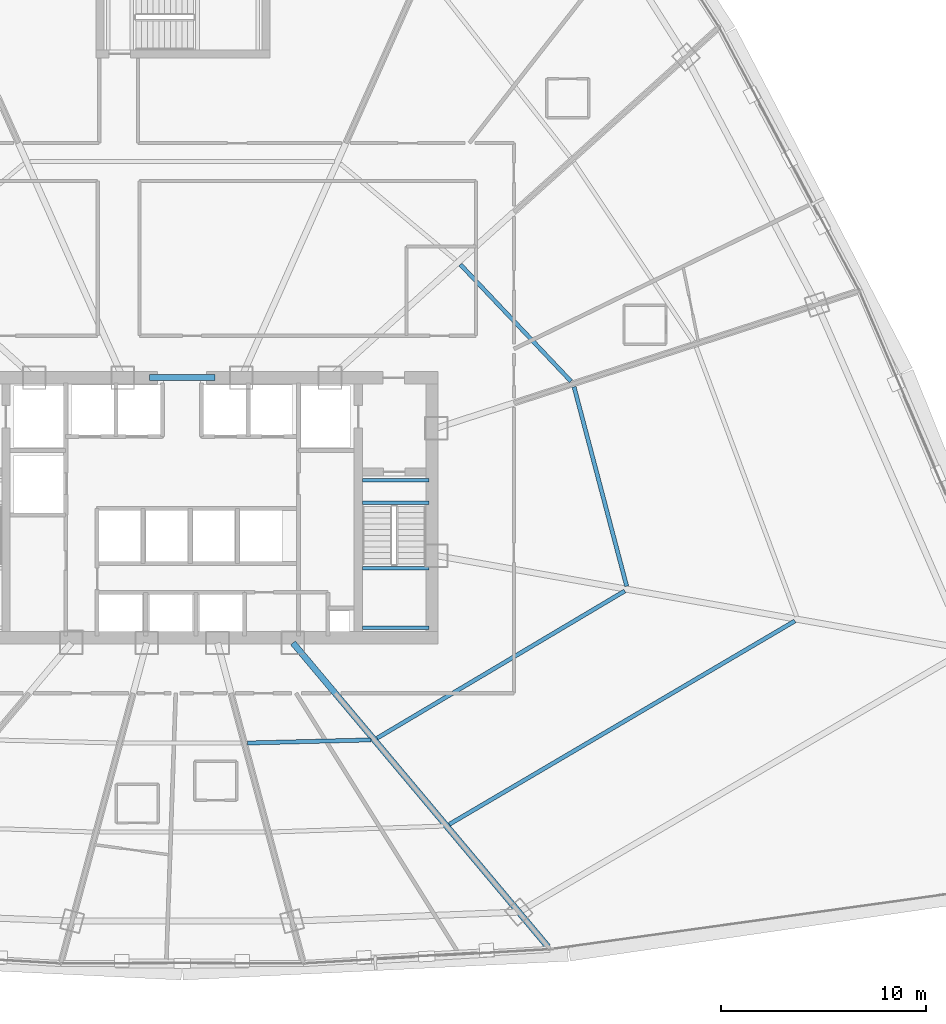
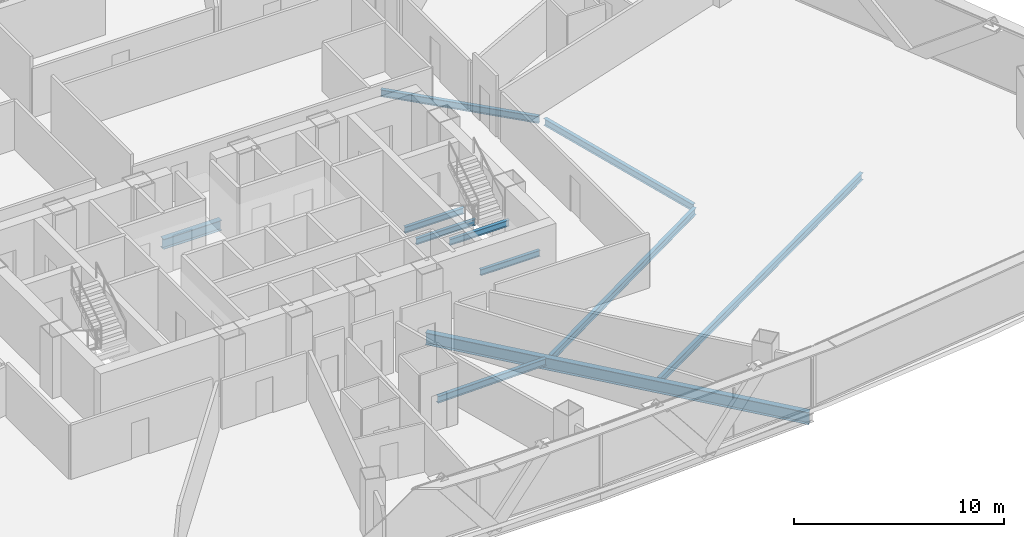
# One storey, part 13 of 37: 11 beams.
"""IFC4 building model written with IfcOpenShell, lengths in metres."""

from ifc_helpers import new_model, si_unit, direction, frame, origin, origin_2d, place, context, subcontext, project, spatial, i_section, extrude, source, transform, mapped, material, material_profile, profile_set, type_object, element, save


model = new_model("IFC4")

# Units and contexts
model_context = context("Model", 3, precision=1e-05, world=origin(), true_north=direction((0.0, 1.0)))
body_context = subcontext(model_context, "Body", "Model", "MODEL_VIEW")
ifc_project = project(units=[si_unit("LENGTHUNIT", "METRE"), si_unit("AREAUNIT", "SQUARE_METRE"), si_unit("VOLUMEUNIT", "CUBIC_METRE"), si_unit("PLANEANGLEUNIT", "RADIAN"), si_unit("MASSUNIT", "GRAM", prefix="KILO"), si_unit("THERMODYNAMICTEMPERATUREUNIT", "KELVIN"), si_unit("POWERUNIT", "WATT")], contexts=[model_context])

# Site, building, storey
site_placement = place(None, origin())
site = spatial("IfcSite", under=ifc_project, at=site_placement, CompositionType="ELEMENT")
building_placement = place(site_placement, origin())
building = spatial("IfcBuilding", under=site, at=building_placement, Name="Yunzhuo Pagoda Commons", CompositionType="ELEMENT")
storey_placement = place(building_placement, frame((0.0, 0.0, 88.780029296875)))
storey = spatial("IfcBuildingStorey", under=building, at=storey_placement, Name="L22", CompositionType="ELEMENT", Elevation=88.780029296875)

# Beams
ifc_material_1 = material(Name="Structural steel Q355B", Category="steel")
ifc_material_profile_1 = material_profile(ifc_material_1, i_section(OverallWidth=0.175048828125, OverallDepth=0.35009765625, WebThickness=0.007080078125, FlangeThickness=0.010986328125, at=origin_2d()), Name="Structural steel Q355B")
ifc_profile_set_1 = profile_set([ifc_material_profile_1], Name="Structural steel Q355B")
beam_type_1 = type_object("IfcBeamType", Name="B-JS2 Joist HN 350x175x7x11", PredefinedType="JOIST", material=ifc_profile_set_1)
shared_shape_1 = source(origin(), body_context, "Body", "SweptSolid", [
    extrude(i_section(OverallWidth=0.175048828125, OverallDepth=0.35009765625, WebThickness=0.007080078125, FlangeThickness=0.010986328125, at=origin_2d()), origin(), (0.0, 0.0, 1.0), 3.25),
])
for number, where, z_axis, x_axis, name in (
    (1, (56.800048828125, 28.0, 1.52490234375), (1.0, 0.0, 0.0), (0.0, 1.0, 0.0), "L22 ST2 landing support beam 28A"),
    (2, (56.800048828125, 30.89990234375, 1.52490234375), (1.0, 0.0, 0.0), (0.0, 1.0, 0.0), "L22 ST2 landing support beam 28B"),
    (3, (56.800048828125, 34.10009765625, -0.375), (1.0, 0.0, 0.0), (0.0, 1.0, 0.0), "L22 ST2 landing support beam 126A"),
    (4, (56.800048828125, 35.199951171875, -0.375), (1.0, 0.0, 0.0), (0.0, 1.0, 0.0), "L22 ST2 landing support beam 126B"),
):
    element("IfcBeam", number, at=place(storey_placement, frame(where, z_axis=z_axis, x_axis=x_axis)), inside=storey, type_object=beam_type_1, Name=name, PredefinedType="JOIST", context=body_context, shape_type="MappedRepresentation", body=[
        mapped(shared_shape_1, transform((0.0, 0.0, 0.0), scale=1.0)),
    ])
ifc_material_2 = material(Name="Structural steel Q420B", Category="steel")
ifc_material_profile_2 = material_profile(ifc_material_2, i_section(OverallWidth=0.300048828125, OverallDepth=0.587890625, WebThickness=0.011962890625, FlangeThickness=0.02001953125, at=origin_2d()), Name="Structural steel Q420B")
ifc_profile_set_2 = profile_set([ifc_material_profile_2], Name="Structural steel Q420B")
beam_type_2 = type_object("IfcBeamType", Name="B-CPL Beam HM 588x300x12x20", PredefinedType="BEAM", material=ifc_profile_set_2)
shared_shape_2 = source(origin(), body_context, "Body", "SweptSolid", [
    extrude(i_section(OverallWidth=0.300048828125, OverallDepth=0.587890625, WebThickness=0.011962890625, FlangeThickness=0.02001953125, at=origin_2d()), origin(), (0.0, 0.0, 1.0), 3.2001953125),
])
beam_1_placement = place(storey_placement, frame((46.39990234375, 40.199951171875, -0.553955078125), z_axis=(1.0, 0.0, 0.0), x_axis=(0.0, 1.0, 0.0)))
element("IfcBeam", 5, at=beam_1_placement, inside=storey, type_object=beam_type_2, Name="L22 core coupling girder", PredefinedType="BEAM", context=body_context, shape_type="MappedRepresentation", body=[
    mapped(shared_shape_2, transform((0.0, 0.0, 0.0), scale=1.0)),
])
ifc_material_profile_3 = material_profile(ifc_material_1, i_section(OverallWidth=0.300048828125, OverallDepth=0.699951171875, WebThickness=0.012939453125, FlangeThickness=0.02392578125, at=origin_2d()), Name="Structural steel Q355B")
ifc_profile_set_3 = profile_set([ifc_material_profile_3], Name="Structural steel Q355B")
beam_type_3 = type_object("IfcBeamType", Name="B-RG1 Beam HN 700x300x13x24", PredefinedType="BEAM", material=ifc_profile_set_3)
shared_shape_3 = source(origin(), body_context, "Body", "SweptSolid", [
    extrude(i_section(OverallWidth=0.300048828125, OverallDepth=0.699951171875, WebThickness=0.012939453125, FlangeThickness=0.02392578125, at=origin_2d()), origin(), (0.0, 0.0, 1.0), 19.369140625),
])
beam_2_placement = place(storey_placement, frame((65.862548828125, 12.41259765625, -0.610107421875), z_axis=(-0.642799141194, 0.766034766887, 0.0), x_axis=(-0.766034766887, -0.642799141194, 0.0)))
element("IfcBeam", 6, at=beam_2_placement, inside=storey, type_object=beam_type_3, Name="L22 radial floor girder F1C4", PredefinedType="BEAM", context=body_context, shape_type="MappedRepresentation", body=[
    mapped(shared_shape_3, transform((0.0, 0.0, 0.0), scale=1.0)),
])
ifc_material_profile_4 = material_profile(ifc_material_1, i_section(OverallWidth=0.199951171875, OverallDepth=0.39990234375, WebThickness=0.008056640625, FlangeThickness=0.012939453125, at=origin_2d()), Name="Structural steel Q355B")
ifc_profile_set_4 = profile_set([ifc_material_profile_4], Name="Structural steel Q355B")
beam_type_4 = type_object("IfcBeamType", Name="B-JS1 Joist HN 400x200x8x13", PredefinedType="JOIST", material=ifc_profile_set_4)
shared_shape_4 = source(origin(), body_context, "Body", "SweptSolid", [
    extrude(i_section(OverallWidth=0.199951171875, OverallDepth=0.39990234375, WebThickness=0.008056640625, FlangeThickness=0.012939453125, at=origin_2d()), origin(), (0.0, 0.0, 1.0), 6.026611328125),
])
beam_3_placement = place(storey_placement, frame((51.197265625, 22.364501953125, -0.4599609375), z_axis=(0.99968248871, 0.025197654009, 0.0), x_axis=(-0.025197654009, 0.99968248871, 0.0)))
element("IfcBeam", 7, at=beam_3_placement, inside=storey, type_object=beam_type_4, Name="L22 composite ring joist 1.3", PredefinedType="JOIST", context=body_context, shape_type="MappedRepresentation", body=[
    mapped(shared_shape_4, transform((0.0, 0.0, 0.0), scale=1.0)),
])
shared_shape_5 = source(origin(), body_context, "Body", "SweptSolid", [
    extrude(i_section(OverallWidth=0.199951171875, OverallDepth=0.39990234375, WebThickness=0.008056640625, FlangeThickness=0.012939453125, at=origin_2d()), origin(), (0.0, 0.0, 1.0), 14.061767578125),
])
beam_4_placement = place(storey_placement, frame((57.517578125, 22.601806640625, -0.4599609375), z_axis=(0.859683443923, 0.510827149088, 0.0), x_axis=(-0.510827149088, 0.859683443923, 0.0)))
element("IfcBeam", 8, at=beam_4_placement, inside=storey, type_object=beam_type_4, Name="L22 composite ring joist 1.4", PredefinedType="JOIST", context=body_context, shape_type="MappedRepresentation", body=[
    mapped(shared_shape_5, transform((0.0, 0.0, 0.0), scale=1.0)),
])
shared_shape_6 = source(origin(), body_context, "Body", "SweptSolid", [
    extrude(i_section(OverallWidth=0.199951171875, OverallDepth=0.39990234375, WebThickness=0.008056640625, FlangeThickness=0.012939453125, at=origin_2d()), origin(), (0.0, 0.0, 1.0), 19.568603515625),
])
beam_5_placement = place(storey_placement, frame((61.04541015625, 18.39697265625, -0.4599609375), z_axis=(0.861862685393, 0.50714170754, 0.0), x_axis=(-0.50714170754, 0.861862685393, 0.0)))
element("IfcBeam", 9, at=beam_5_placement, inside=storey, type_object=beam_type_4, Name="L22 composite ring joist 2.4", PredefinedType="JOIST", context=body_context, shape_type="MappedRepresentation", body=[
    mapped(shared_shape_6, transform((0.0, 0.0, 0.0), scale=1.0)),
])
shared_shape_7 = source(origin(), body_context, "Body", "SweptSolid", [
    extrude(i_section(OverallWidth=0.199951171875, OverallDepth=0.39990234375, WebThickness=0.008056640625, FlangeThickness=0.012939453125, at=origin_2d()), origin(), (0.0, 0.0, 1.0), 10.0634765625),
])
beam_6_placement = place(storey_placement, frame((69.702392578125, 30.019775390625, -0.4599609375), z_axis=(-0.255289713136, 0.966864603948, 0.0), x_axis=(-0.966864603948, -0.255289713136, 0.0)))
element("IfcBeam", 10, at=beam_6_placement, inside=storey, type_object=beam_type_4, Name="L22 composite ring joist 1.5", PredefinedType="JOIST", context=body_context, shape_type="MappedRepresentation", body=[
    mapped(shared_shape_7, transform((0.0, 0.0, 0.0), scale=1.0)),
])
shared_shape_8 = source(origin(), body_context, "Body", "SweptSolid", [
    extrude(i_section(OverallWidth=0.199951171875, OverallDepth=0.39990234375, WebThickness=0.008056640625, FlangeThickness=0.012939453125, at=origin_2d()), origin(), (0.0, 0.0, 1.0), 7.85009765625),
])
beam_7_placement = place(storey_placement, frame((66.9833984375, 40.01904296875, -0.4599609375), z_axis=(-0.687513423145, 0.726171669095, 0.0), x_axis=(-0.726171669095, -0.687513423145, 0.0)))
element("IfcBeam", 11, at=beam_7_placement, inside=storey, type_object=beam_type_4, Name="L22 composite ring joist 1.6", PredefinedType="JOIST", context=body_context, shape_type="MappedRepresentation", body=[
    mapped(shared_shape_8, transform((0.0, 0.0, 0.0), scale=1.0)),
])

save(model, "model.ifc")
